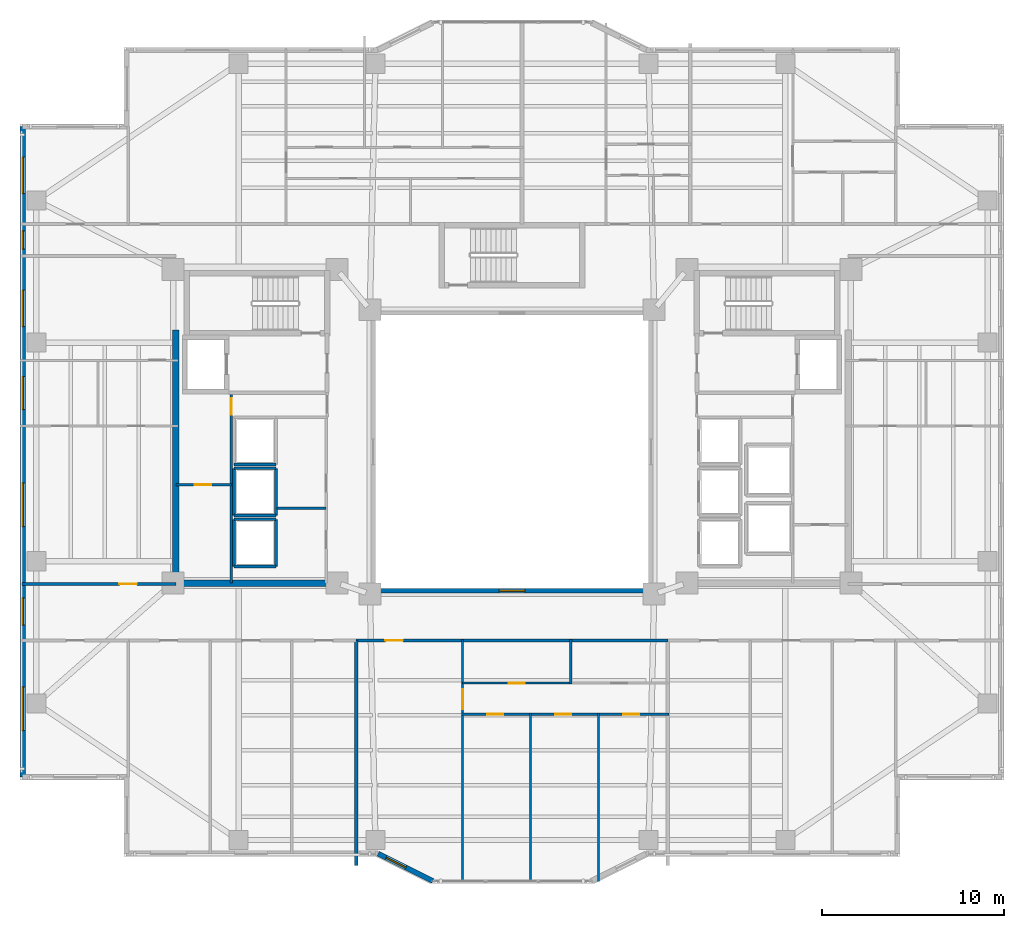
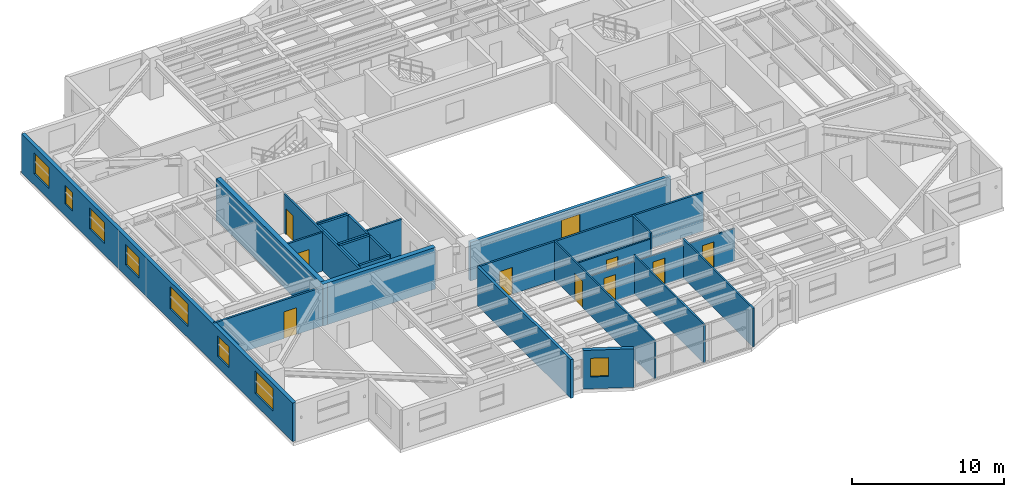
# One storey, part 6 of 18: 26 walls, 9 doors, 9 windows, 18 openings.
"""IFC4 building model written with IfcOpenShell, lengths in metres."""

from ifc_helpers import new_model, si_unit, direction, frame, frame_2d, origin, place, context, subcontext, project, spatial, rectangle, extrude, material, layer, layer_set, type_object, element, fill, save


model = new_model("IFC4")

# Units and contexts
model_context = context("Model", 3, precision=1e-05, world=origin(), true_north=direction((0.0, 1.0)))
body_context = subcontext(model_context, "Body", "Model", "MODEL_VIEW")
ifc_project = project(units=[si_unit("LENGTHUNIT", "METRE"), si_unit("AREAUNIT", "SQUARE_METRE"), si_unit("VOLUMEUNIT", "CUBIC_METRE"), si_unit("PLANEANGLEUNIT", "RADIAN"), si_unit("MASSUNIT", "GRAM", prefix="KILO")], contexts=[model_context])

# Site, building, storey
site_placement = place(None, origin())
site = spatial("IfcSite", under=ifc_project, at=site_placement, CompositionType="ELEMENT")
building_placement = place(site_placement, origin())
building = spatial("IfcBuilding", under=site, at=building_placement, Name="Tarnavaz Court Tower", CompositionType="ELEMENT")
storey_placement = place(building_placement, frame((0.0, 0.0, 95.050048828125)))
storey = spatial("IfcBuildingStorey", under=building, at=storey_placement, Name="L25", CompositionType="ELEMENT", Elevation=95.050048828125)

# Walls
ifc_material_1 = material(Name="Concrete C60/75", Category="concrete")
ifc_layer_1 = layer(ifc_material_1, 0.35009765625)
ifc_layer_set_1 = layer_set([ifc_layer_1], Name="Concrete C60/75")
wall_type_1 = type_object("IfcWallType", Name="WL-CORE-350-C60", PredefinedType="SHEAR", material=ifc_layer_set_1)
wall_1_placement = place(storey_placement, frame((-18.449951171875, -7.375, 0.0), z_axis=(0.0, 0.0, 1.0), x_axis=(0.0, 1.0, 0.0)))
element("IfcWall", 1, at=wall_1_placement, inside=storey, type_object=wall_type_1, Name="L25 West Core Shear Wall 057", PredefinedType="SHEAR", context=body_context, shape_type="SweptSolid", body=[
    extrude(rectangle(XDim=14.050048828125, YDim=0.35009765625, at=frame_2d((7.02490234375, 0.0))), origin(), (0.0, 0.0, 1.0), 3.349853515625),
])
wall_2_placement = place(storey_placement, frame((-18.625, -7.199951171875, 0.0), z_axis=(0.0, 0.0, 1.0), x_axis=(1.0, 0.0, 0.0)))
element("IfcWall", 2, at=wall_2_placement, inside=storey, type_object=wall_type_1, Name="L25 West Core South Shear Wall 058", PredefinedType="SHEAR", context=body_context, shape_type="SweptSolid", body=[
    extrude(rectangle(XDim=8.550048828125, YDim=0.35009765625, at=frame_2d((4.27490234375, 0.0))), origin(), (0.0, 0.0, 1.0), 3.349853515625),
])

# Wall, openings, windows
ifc_material_2 = material(Name="Precast Concrete C40/50", Category="concrete")
ifc_layer_2 = layer(ifc_material_2, 0.280029296875)
ifc_layer_set_2 = layer_set([ifc_layer_2], Name="Precast Concrete C40/50")
wall_type_2 = type_object("IfcWallType", Name="WL-EXT-280", PredefinedType="SOLIDWALL", material=ifc_layer_set_2)
wall_3_placement = place(storey_placement, frame((-26.85009765625, -17.85009765625, 0.0), z_axis=(0.0, 0.0, 1.0), x_axis=(0.0, 1.0, 0.0)))
wall_3 = element("IfcWall", 3, at=wall_3_placement, inside=storey, type_object=wall_type_2, Name="L25 Exterior Terracotta Facade Wall 02", PredefinedType="SOLIDWALL", context=body_context, shape_type="SweptSolid", body=[
    extrude(rectangle(XDim=35.7001953125, YDim=0.280029296875, at=frame_2d((17.85009765625, 0.0))), origin(), (0.0, 0.0, 1.0), 3.099853515625),
])
opening_1_placement = place(wall_3_placement, frame((2.550048828125, 0.0, 0.89990234375)))
opening_1 = element("IfcOpeningElement", 4, at=opening_1_placement, cuts=wall_3, Name="Opening W06", PredefinedType="OPENING", context=body_context, shape_type="SweptSolid", body=[
    extrude(rectangle(XDim=2.39990234375, YDim=1.800048828125, at=frame_2d((1.199951171875, 0.89990234375))), frame((0.0, 0.14990234375, 0.0), z_axis=(0.0, -1.0, 0.0), x_axis=(1.0, 0.0, 0.0)), (0.0, 0.0, 1.0), 0.300048828125),
])
opening_2_placement = place(wall_3_placement, frame((8.342529296875, 0.0, 0.89990234375)))
opening_2 = element("IfcOpeningElement", 5, at=opening_2_placement, cuts=wall_3, Name="Opening W03", PredefinedType="OPENING", context=body_context, shape_type="SweptSolid", body=[
    extrude(rectangle(XDim=1.5, YDim=1.64990234375, at=frame_2d((0.75, 0.824951171875))), frame((0.0, 0.14990234375, 0.0), z_axis=(0.0, -1.0, 0.0), x_axis=(1.0, 0.0, 0.0)), (0.0, 0.0, 1.0), 0.300048828125),
])
opening_3_placement = place(wall_3_placement, frame((13.75, 0.0, 0.89990234375)))
opening_3 = element("IfcOpeningElement", 6, at=opening_3_placement, cuts=wall_3, Name="Opening W06", PredefinedType="OPENING", context=body_context, shape_type="SweptSolid", body=[
    extrude(rectangle(XDim=2.39990234375, YDim=1.800048828125, at=frame_2d((1.199951171875, 0.89990234375))), frame((0.0, 0.14990234375, 0.0), z_axis=(0.0, -1.0, 0.0), x_axis=(1.0, 0.0, 0.0)), (0.0, 0.0, 1.0), 0.300048828125),
])
opening_4_placement = place(wall_3_placement, frame((20.175048828125, 0.0, 0.89990234375)))
opening_4 = element("IfcOpeningElement", 7, at=opening_4_placement, cuts=wall_3, Name="Opening W01", PredefinedType="OPENING", context=body_context, shape_type="SweptSolid", body=[
    extrude(rectangle(XDim=1.800048828125, YDim=1.64990234375, at=frame_2d((0.89990234375, 0.824951171875))), frame((0.0, 0.14990234375, 0.0), z_axis=(0.0, -1.0, 0.0), x_axis=(1.0, 0.0, 0.0)), (0.0, 0.0, 1.0), 0.300048828125),
])
opening_5_placement = place(wall_3_placement, frame((24.72509765625, 0.0, 0.89990234375)))
opening_5 = element("IfcOpeningElement", 8, at=opening_5_placement, cuts=wall_3, Name="Opening W08", PredefinedType="OPENING", context=body_context, shape_type="SweptSolid", body=[
    extrude(rectangle(XDim=2.0, YDim=1.699951171875, at=frame_2d((1.0, 0.85009765625))), frame((0.0, 0.14990234375, 0.0), z_axis=(0.0, -1.0, 0.0), x_axis=(1.0, 0.0, 0.0)), (0.0, 0.0, 1.0), 0.300048828125),
])
opening_6_placement = place(wall_3_placement, frame((28.97509765625, 0.0, 0.949951171875)))
opening_6 = element("IfcOpeningElement", 9, at=opening_6_placement, cuts=wall_3, Name="Opening W14", PredefinedType="OPENING", context=body_context, shape_type="SweptSolid", body=[
    extrude(rectangle(XDim=1.0, YDim=1.5, at=frame_2d((0.5, 0.75))), frame((0.0, 0.14990234375, 0.0), z_axis=(0.0, -1.0, 0.0), x_axis=(1.0, 0.0, 0.0)), (0.0, 0.0, 1.0), 0.300048828125),
])
opening_7_placement = place(wall_3_placement, frame((32.02490234375, 0.0, 0.89990234375)))
opening_7 = element("IfcOpeningElement", 10, at=opening_7_placement, cuts=wall_3, Name="Opening W08", PredefinedType="OPENING", context=body_context, shape_type="SweptSolid", body=[
    extrude(rectangle(XDim=2.0, YDim=1.699951171875, at=frame_2d((1.0, 0.85009765625))), frame((0.0, 0.14990234375, 0.0), z_axis=(0.0, -1.0, 0.0), x_axis=(1.0, 0.0, 0.0)), (0.0, 0.0, 1.0), 0.300048828125),
])
ifc_material_3 = material(Name="Double-Glazed Solar Low-E Glass", Category="glass")
window_type_1 = type_object("IfcWindowType", Name="WN-APT-1000", PartitioningType="SINGLE_PANEL", PredefinedType="WINDOW", material=ifc_material_3)
window_1_placement = place(opening_6_placement, origin())
window_1 = element("IfcWindow", 11, at=window_1_placement, inside=storey, type_object=window_type_1, Name="L25 North-West Corner Corridor Window", OverallHeight=1.5, OverallWidth=1.0, PartitioningType="SINGLE_PANEL", PredefinedType="WINDOW", context=body_context, shape_type="SweptSolid", body=[
    extrude(rectangle(XDim=1.0, YDim=1.5, at=frame_2d((0.5, 0.75))), frame((0.0, 0.030029296875, 0.0), z_axis=(0.0, -1.0, 0.0), x_axis=(1.0, 0.0, 0.0)), (0.0, 0.0, 1.0), 0.06005859375),
])
fill(opening_6, window_1)
window_type_2 = type_object("IfcWindowType", Name="WN-APT-1500", PartitioningType="DOUBLE_PANEL_VERTICAL", PredefinedType="WINDOW", material=ifc_material_3)
window_2_placement = place(opening_2_placement, origin())
window_2 = element("IfcWindow", 12, at=window_2_placement, inside=storey, type_object=window_type_2, Name="L25 South-West Corner Corridor Window", OverallHeight=1.64990234375, OverallWidth=1.5, PartitioningType="SINGLE_PANEL", PredefinedType="WINDOW", context=body_context, shape_type="SweptSolid", body=[
    extrude(rectangle(XDim=1.5, YDim=1.64990234375, at=frame_2d((0.75, 0.824951171875))), frame((0.0, 0.030029296875, 0.0), z_axis=(0.0, -1.0, 0.0), x_axis=(1.0, 0.0, 0.0)), (0.0, 0.0, 1.0), 0.06005859375),
])
fill(opening_2, window_2)
window_type_3 = type_object("IfcWindowType", Name="WN-APT-1800", PartitioningType="DOUBLE_PANEL_VERTICAL", PredefinedType="WINDOW", material=ifc_material_3)
window_3_placement = place(opening_4_placement, origin())
window_3 = element("IfcWindow", 13, at=window_3_placement, inside=storey, type_object=window_type_3, Name="L25 Flat 05 Kitchen Window", OverallHeight=1.64990234375, OverallWidth=1.800048828125, PartitioningType="SINGLE_PANEL", PredefinedType="WINDOW", context=body_context, shape_type="SweptSolid", body=[
    extrude(rectangle(XDim=1.800048828125, YDim=1.64990234375, at=frame_2d((0.89990234375, 0.824951171875))), frame((0.0, 0.030029296875, 0.0), z_axis=(0.0, -1.0, 0.0), x_axis=(1.0, 0.0, 0.0)), (0.0, 0.0, 1.0), 0.06005859375),
])
fill(opening_4, window_3)
window_type_4 = type_object("IfcWindowType", Name="WN-APT-2000", PartitioningType="DOUBLE_PANEL_VERTICAL", PredefinedType="WINDOW", material=ifc_material_3)
window_4_placement = place(opening_5_placement, origin())
window_4 = element("IfcWindow", 14, at=window_4_placement, inside=storey, type_object=window_type_4, Name="L25 Flat 05 Study Room Window", OverallHeight=1.699951171875, OverallWidth=2.0, PartitioningType="SINGLE_PANEL", PredefinedType="WINDOW", context=body_context, shape_type="SweptSolid", body=[
    extrude(rectangle(XDim=2.0, YDim=1.699951171875, at=frame_2d((1.0, 0.85009765625))), frame((0.0, 0.030029296875, 0.0), z_axis=(0.0, -1.0, 0.0), x_axis=(1.0, 0.0, 0.0)), (0.0, 0.0, 1.0), 0.06005859375),
])
fill(opening_5, window_4)
window_5_placement = place(opening_7_placement, origin())
window_5 = element("IfcWindow", 15, at=window_5_placement, inside=storey, type_object=window_type_4, Name="L25 North-West Corner Sunroom Study Window", OverallHeight=1.699951171875, OverallWidth=2.0, PartitioningType="SINGLE_PANEL", PredefinedType="WINDOW", context=body_context, shape_type="SweptSolid", body=[
    extrude(rectangle(XDim=2.0, YDim=1.699951171875, at=frame_2d((1.0, 0.85009765625))), frame((0.0, 0.030029296875, 0.0), z_axis=(0.0, -1.0, 0.0), x_axis=(1.0, 0.0, 0.0)), (0.0, 0.0, 1.0), 0.06005859375),
])
fill(opening_7, window_5)
window_type_5 = type_object("IfcWindowType", Name="WN-APT-2400", PartitioningType="TRIPLE_PANEL_VERTICAL", PredefinedType="WINDOW", material=ifc_material_3)
window_6_placement = place(opening_1_placement, origin())
window_6 = element("IfcWindow", 16, at=window_6_placement, inside=storey, type_object=window_type_5, Name="L25 South-West Corner Reading Room Window", OverallHeight=1.800048828125, OverallWidth=2.39990234375, PartitioningType="SINGLE_PANEL", PredefinedType="WINDOW", context=body_context, shape_type="SweptSolid", body=[
    extrude(rectangle(XDim=2.39990234375, YDim=1.800048828125, at=frame_2d((1.199951171875, 0.89990234375))), frame((0.0, 0.030029296875, 0.0), z_axis=(0.0, -1.0, 0.0), x_axis=(1.0, 0.0, 0.0)), (0.0, 0.0, 1.0), 0.06005859375),
])
fill(opening_1, window_6)
window_7_placement = place(opening_3_placement, origin())
window_7 = element("IfcWindow", 17, at=window_7_placement, inside=storey, type_object=window_type_5, Name="L25 Flat 05 Studio Living and Sleeping Room Window", OverallHeight=1.800048828125, OverallWidth=2.39990234375, PartitioningType="SINGLE_PANEL", PredefinedType="WINDOW", context=body_context, shape_type="SweptSolid", body=[
    extrude(rectangle(XDim=2.39990234375, YDim=1.800048828125, at=frame_2d((1.199951171875, 0.89990234375))), frame((0.0, 0.030029296875, 0.0), z_axis=(0.0, -1.0, 0.0), x_axis=(1.0, 0.0, 0.0)), (0.0, 0.0, 1.0), 0.06005859375),
])
fill(opening_3, window_7)

# Wall, opening, window
wall_4_placement = place(storey_placement, frame((-4.35009765625, -23.550048828125, 0.0), z_axis=(0.0, 0.0, 1.0), x_axis=(-0.894427191, 0.4472135955, 0.0)))
wall_4 = element("IfcWall", 18, at=wall_4_placement, inside=storey, type_object=wall_type_2, Name="L25 Exterior Terracotta Facade Wall 18", PredefinedType="SOLIDWALL", context=body_context, shape_type="SweptSolid", body=[
    extrude(rectangle(XDim=3.35400390625, YDim=0.280029296875, at=frame_2d((1.677001953125, 0.0))), origin(), (0.0, 0.0, 1.0), 3.099853515625),
])
opening_8_placement = place(wall_4_placement, frame((1.65283203125, 0.0, 0.949951171875)))
opening_8 = element("IfcOpeningElement", 19, at=opening_8_placement, cuts=wall_4, Name="Opening W05", PredefinedType="OPENING", context=body_context, shape_type="SweptSolid", body=[
    extrude(rectangle(XDim=1.199951171875, YDim=1.5, at=frame_2d((0.60009765625, 0.75))), frame((0.0, 0.14990234375, 0.0), z_axis=(0.0, -1.0, 0.0), x_axis=(1.0, 0.0, 0.0)), (0.0, 0.0, 1.0), 0.300048828125),
])
window_type_6 = type_object("IfcWindowType", Name="WN-APT-1200", PartitioningType="SINGLE_PANEL", PredefinedType="WINDOW", material=ifc_material_3)
window_8_placement = place(opening_8_placement, origin())
window_8 = element("IfcWindow", 20, at=window_8_placement, inside=storey, type_object=window_type_6, Name="L25 Flat 04 Living and Dining Room Window", OverallHeight=1.5, OverallWidth=1.199951171875, PartitioningType="SINGLE_PANEL", PredefinedType="WINDOW", context=body_context, shape_type="SweptSolid", body=[
    extrude(rectangle(XDim=1.199951171875, YDim=1.5, at=frame_2d((0.60009765625, 0.75))), frame((0.0, 0.030029296875, 0.0), z_axis=(0.0, -1.0, 0.0), x_axis=(1.0, 0.0, 0.0)), (0.0, 0.0, 1.0), 0.06005859375),
])
fill(opening_8, window_8)

# Wall, opening, door
ifc_material_4 = material(Name="Gypsum Fire-Board on Acoustic Metal Stud", Category="masonry")
ifc_layer_3 = layer(ifc_material_4, 0.14990234375)
ifc_layer_set_3 = layer_set([ifc_layer_3], Name="Gypsum Fire-Board on Acoustic Metal Stud")
wall_type_3 = type_object("IfcWallType", Name="WL-FIRE-150", PredefinedType="PARTITIONING", material=ifc_layer_set_3)
wall_5_placement = place(storey_placement, frame((-8.550048828125, -10.35009765625, 0.0), z_axis=(0.0, 0.0, 1.0), x_axis=(1.0, 0.0, 0.0)))
wall_5 = element("IfcWall", 21, at=wall_5_placement, inside=storey, type_object=wall_type_3, Name="L25 Interior Partition 100", PredefinedType="PARTITIONING", context=body_context, shape_type="SweptSolid", body=[
    extrude(rectangle(XDim=17.10009765625, YDim=0.14990234375, at=frame_2d((8.550048828125, 0.0))), origin(), (0.0, 0.0, 1.0), 3.099853515625),
])
opening_9_placement = place(wall_5_placement, frame((1.60009765625, 0.0, 0.0)))
opening_9 = element("IfcOpeningElement", 22, at=opening_9_placement, cuts=wall_5, Name="Opening D06", PredefinedType="OPENING", context=body_context, shape_type="SweptSolid", body=[
    extrude(rectangle(XDim=0.9599609375, YDim=2.14990234375, at=frame_2d((0.47998046875, 1.074951171875))), frame((0.0, 0.0849609375, 0.0), z_axis=(0.0, -1.0, 0.0), x_axis=(1.0, 0.0, 0.0)), (0.0, 0.0, 1.0), 0.169921875),
])
ifc_material_5 = material(Name="Fire-Rated Hardwood Timber Core", Category="wood")
door_type_1 = type_object("IfcDoorType", Name="DR-FD60-950", OperationType="NOTDEFINED", PredefinedType="DOOR", material=ifc_material_5)
door_1_placement = place(opening_9_placement, origin())
door_1 = element("IfcDoor", 23, at=door_1_placement, inside=storey, type_object=door_type_1, Name="L25 Flat 04 Entrance Door", OperationType="SINGLE_SWING_RIGHT", OverallHeight=2.14990234375, OverallWidth=0.9599609375, PredefinedType="DOOR", context=body_context, shape_type="SweptSolid", body=[
    extrude(rectangle(XDim=0.9599609375, YDim=2.14990234375, at=frame_2d((0.47998046875, 1.074951171875))), frame((0.0, 0.02490234375, 0.0), z_axis=(0.0, -1.0, 0.0), x_axis=(1.0, 0.0, 0.0)), (0.0, 0.0, 1.0), 0.050048828125),
])
fill(opening_9, door_1)

wall_6_placement = place(storey_placement, frame((-26.8798828125, -7.25, 0.0), z_axis=(0.0, 0.0, 1.0), x_axis=(1.0, 0.0, 0.0)))
wall_6 = element("IfcWall", 24, at=wall_6_placement, inside=storey, type_object=wall_type_3, Name="L25 Interior Partition 108", PredefinedType="PARTITIONING", context=body_context, shape_type="SweptSolid", body=[
    extrude(rectangle(XDim=8.429931640625, YDim=0.14990234375, at=frame_2d((4.21484375, 0.0))), origin(), (0.0, 0.0, 1.0), 3.099853515625),
])
opening_10_placement = place(wall_6_placement, frame((5.330078125, 0.0, 0.0)))
opening_10 = element("IfcOpeningElement", 25, at=opening_10_placement, cuts=wall_6, Name="Opening D06", PredefinedType="OPENING", context=body_context, shape_type="SweptSolid", body=[
    extrude(rectangle(XDim=0.9599609375, YDim=2.14990234375, at=frame_2d((0.47998046875, 1.074951171875))), frame((0.0, 0.0849609375, 0.0), z_axis=(0.0, -1.0, 0.0), x_axis=(1.0, 0.0, 0.0)), (0.0, 0.0, 1.0), 0.169921875),
])
door_2_placement = place(opening_10_placement, origin())
door_2 = element("IfcDoor", 26, at=door_2_placement, inside=storey, type_object=door_type_1, Name="L25 Flat 05 Entrance Door", OperationType="SINGLE_SWING_LEFT", OverallHeight=2.14990234375, OverallWidth=0.9599609375, PredefinedType="DOOR", context=body_context, shape_type="SweptSolid", body=[
    extrude(rectangle(XDim=0.9599609375, YDim=2.14990234375, at=frame_2d((0.47998046875, 1.074951171875))), frame((0.0, 0.02490234375, 0.0), z_axis=(0.0, -1.0, 0.0), x_axis=(1.0, 0.0, 0.0)), (0.0, 0.0, 1.0), 0.050048828125),
])
fill(opening_10, door_2)

# Wall
ifc_material_6 = material(Name="Autoclaved Aerated Concrete Blockwork", Category="masonry")
ifc_layer_4 = layer(ifc_material_6, 0.199951171875)
ifc_layer_set_4 = layer_set([ifc_layer_4], Name="Autoclaved Aerated Concrete Blockwork")
wall_type_4 = type_object("IfcWallType", Name="WL-FIRE-200", PredefinedType="SOLIDWALL", material=ifc_layer_set_4)
wall_7_placement = place(storey_placement, frame((-8.550048828125, -22.7041015625, 0.0), z_axis=(0.0, 0.0, 1.0), x_axis=(0.0, 1.0, 0.0)))
element("IfcWall", 27, at=wall_7_placement, inside=storey, type_object=wall_type_4, Name="L25 Party Wall 098", PredefinedType="SOLIDWALL", context=body_context, shape_type="SweptSolid", body=[
    extrude(rectangle(XDim=12.35400390625, YDim=0.199951171875, at=frame_2d((6.177001953125, 0.0))), origin(), (0.0, 0.0, 1.0), 3.099853515625),
])

# Wall, opening, door
ifc_material_7 = material(Name="Moisture-Resistant Gypsum Board Partition", Category="masonry")
ifc_layer_5 = layer(ifc_material_7, 0.1201171875)
ifc_layer_set_5 = layer_set([ifc_layer_5], Name="Moisture-Resistant Gypsum Board Partition")
wall_type_5 = type_object("IfcWallType", Name="WL-PART-120", PredefinedType="PARTITIONING", material=ifc_layer_set_5)
wall_8_placement = place(storey_placement, frame((-2.714111328125, -23.580078125, 0.0), z_axis=(0.0, 0.0, 1.0), x_axis=(0.0, 1.0, 0.0)))
wall_8 = element("IfcWall", 28, at=wall_8_placement, inside=storey, type_object=wall_type_5, Name="L25 Interior Partition 101", PredefinedType="PARTITIONING", context=body_context, shape_type="SweptSolid", body=[
    extrude(rectangle(XDim=13.2900390625, YDim=0.1201171875, at=frame_2d((6.64501953125, 0.0))), origin(), (0.0, 0.0, 1.0), 3.099853515625),
])
opening_11_placement = place(wall_8_placement, frame((9.465087890625, 0.0, 0.0)))
opening_11 = element("IfcOpeningElement", 29, at=opening_11_placement, cuts=wall_8, Name="Opening D12", PredefinedType="OPENING", context=body_context, shape_type="SweptSolid", body=[
    extrude(rectangle(XDim=1.080078125, YDim=2.14990234375, at=frame_2d((0.5400390625, 1.074951171875))), frame((0.0, 0.070068359375, 0.0), z_axis=(0.0, -1.0, 0.0), x_axis=(1.0, 0.0, 0.0)), (0.0, 0.0, 1.0), 0.14013671875),
])
ifc_material_8 = material(Name="Engineered Oak Timber", Category="wood")
door_type_2 = type_object("IfcDoorType", Name="DR-INT-1100", OperationType="NOTDEFINED", PredefinedType="DOOR", material=ifc_material_8)
door_3_placement = place(opening_11_placement, origin())
door_3 = element("IfcDoor", 30, at=door_3_placement, inside=storey, type_object=door_type_2, Name="L25 Flat 04 Foyer Door", OperationType="SINGLE_SWING_LEFT", OverallHeight=2.14990234375, OverallWidth=1.080078125, PredefinedType="DOOR", context=body_context, shape_type="SweptSolid", body=[
    extrude(rectangle(XDim=1.080078125, YDim=2.14990234375, at=frame_2d((0.5400390625, 1.074951171875))), frame((0.0, 0.02490234375, 0.0), z_axis=(0.0, -1.0, 0.0), x_axis=(1.0, 0.0, 0.0)), (0.0, 0.0, 1.0), 0.050048828125),
])
fill(opening_11, door_3)

wall_9_placement = place(storey_placement, frame((-2.714111328125, -12.68994140625, 0.0), z_axis=(0.0, 0.0, 1.0), x_axis=(1.0, 0.0, 0.0)))
wall_9 = element("IfcWall", 31, at=wall_9_placement, inside=storey, type_object=wall_type_5, Name="L25 Interior Partition 102", PredefinedType="PARTITIONING", context=body_context, shape_type="SweptSolid", body=[
    extrude(rectangle(XDim=5.93310546875, YDim=0.1201171875, at=frame_2d((2.966552734375, 0.0))), origin(), (0.0, 0.0, 1.0), 2.635009765625),
])
opening_12_placement = place(wall_9_placement, frame((2.52587890625, 0.0, 0.0)))
opening_12 = element("IfcOpeningElement", 32, at=opening_12_placement, cuts=wall_9, Name="Opening D14", PredefinedType="OPENING", context=body_context, shape_type="SweptSolid", body=[
    extrude(rectangle(XDim=0.8798828125, YDim=2.10009765625, at=frame_2d((0.43994140625, 1.050048828125))), frame((0.0, 0.070068359375, 0.0), z_axis=(0.0, -1.0, 0.0), x_axis=(1.0, 0.0, 0.0)), (0.0, 0.0, 1.0), 0.14013671875),
])
door_type_3 = type_object("IfcDoorType", Name="DR-INT-900", OperationType="NOTDEFINED", PredefinedType="DOOR", material=ifc_material_8)
door_4_placement = place(opening_12_placement, origin())
door_4 = element("IfcDoor", 33, at=door_4_placement, inside=storey, type_object=door_type_3, Name="L25 Flat 04 Kitchen Door", OperationType="SINGLE_SWING_RIGHT", OverallHeight=2.10009765625, OverallWidth=0.8798828125, PredefinedType="DOOR", context=body_context, shape_type="SweptSolid", body=[
    extrude(rectangle(XDim=0.8798828125, YDim=2.10009765625, at=frame_2d((0.43994140625, 1.050048828125))), frame((0.0, 0.02490234375, 0.0), z_axis=(0.0, -1.0, 0.0), x_axis=(1.0, 0.0, 0.0)), (0.0, 0.0, 1.0), 0.050048828125),
])
fill(opening_12, door_4)

# Wall, openings, doors
wall_10_placement = place(storey_placement, frame((-2.77392578125, -14.39990234375, 0.0), z_axis=(0.0, 0.0, 1.0), x_axis=(1.0, 0.0, 0.0)))
wall_10 = element("IfcWall", 34, at=wall_10_placement, inside=storey, type_object=wall_type_5, Name="L25 Interior Partition 104", PredefinedType="PARTITIONING", context=body_context, shape_type="SweptSolid", body=[
    extrude(rectangle(XDim=11.384033203125, YDim=0.1201171875, at=frame_2d((5.69189453125, 0.0))), origin(), (0.0, 0.0, 1.0), 2.635009765625),
])
opening_13_placement = place(wall_10_placement, frame((1.426025390625, 0.0, 0.0)))
opening_13 = element("IfcOpeningElement", 35, at=opening_13_placement, cuts=wall_10, Name="Opening D14", PredefinedType="OPENING", context=body_context, shape_type="SweptSolid", body=[
    extrude(rectangle(XDim=0.8798828125, YDim=2.10009765625, at=frame_2d((0.43994140625, 1.050048828125))), frame((0.0, 0.070068359375, 0.0), z_axis=(0.0, -1.0, 0.0), x_axis=(1.0, 0.0, 0.0)), (0.0, 0.0, 1.0), 0.14013671875),
])
opening_14_placement = place(wall_10_placement, frame((5.156982421875, 0.0, 0.0)))
opening_14 = element("IfcOpeningElement", 36, at=opening_14_placement, cuts=wall_10, Name="Opening D14", PredefinedType="OPENING", context=body_context, shape_type="SweptSolid", body=[
    extrude(rectangle(XDim=0.8798828125, YDim=2.10009765625, at=frame_2d((0.43994140625, 1.050048828125))), frame((0.0, 0.070068359375, 0.0), z_axis=(0.0, -1.0, 0.0), x_axis=(1.0, 0.0, 0.0)), (0.0, 0.0, 1.0), 0.14013671875),
])
opening_15_placement = place(wall_10_placement, frame((8.887939453125, 0.0, 0.0)))
opening_15 = element("IfcOpeningElement", 37, at=opening_15_placement, cuts=wall_10, Name="Opening D14", PredefinedType="OPENING", context=body_context, shape_type="SweptSolid", body=[
    extrude(rectangle(XDim=0.8798828125, YDim=2.10009765625, at=frame_2d((0.43994140625, 1.050048828125))), frame((0.0, 0.070068359375, 0.0), z_axis=(0.0, -1.0, 0.0), x_axis=(1.0, 0.0, 0.0)), (0.0, 0.0, 1.0), 0.14013671875),
])
door_5_placement = place(opening_13_placement, origin())
door_5 = element("IfcDoor", 38, at=door_5_placement, inside=storey, type_object=door_type_3, Name="L25 Flat 04 Bedroom 1 Door", OperationType="SINGLE_SWING_RIGHT", OverallHeight=2.10009765625, OverallWidth=0.8798828125, PredefinedType="DOOR", context=body_context, shape_type="SweptSolid", body=[
    extrude(rectangle(XDim=0.8798828125, YDim=2.10009765625, at=frame_2d((0.43994140625, 1.050048828125))), frame((0.0, 0.02490234375, 0.0), z_axis=(0.0, -1.0, 0.0), x_axis=(1.0, 0.0, 0.0)), (0.0, 0.0, 1.0), 0.050048828125),
])
fill(opening_13, door_5)
door_6_placement = place(opening_14_placement, origin())
door_6 = element("IfcDoor", 39, at=door_6_placement, inside=storey, type_object=door_type_3, Name="L25 Flat 04 Bedroom 2 Door", OperationType="SINGLE_SWING_LEFT", OverallHeight=2.10009765625, OverallWidth=0.8798828125, PredefinedType="DOOR", context=body_context, shape_type="SweptSolid", body=[
    extrude(rectangle(XDim=0.8798828125, YDim=2.10009765625, at=frame_2d((0.43994140625, 1.050048828125))), frame((0.0, 0.02490234375, 0.0), z_axis=(0.0, -1.0, 0.0), x_axis=(1.0, 0.0, 0.0)), (0.0, 0.0, 1.0), 0.050048828125),
])
fill(opening_14, door_6)
door_7_placement = place(opening_15_placement, origin())
door_7 = element("IfcDoor", 40, at=door_7_placement, inside=storey, type_object=door_type_3, Name="L25 Flat 04 Bedroom 3 Door", OperationType="SINGLE_SWING_RIGHT", OverallHeight=2.10009765625, OverallWidth=0.8798828125, PredefinedType="DOOR", context=body_context, shape_type="SweptSolid", body=[
    extrude(rectangle(XDim=0.8798828125, YDim=2.10009765625, at=frame_2d((0.43994140625, 1.050048828125))), frame((0.0, 0.02490234375, 0.0), z_axis=(0.0, -1.0, 0.0), x_axis=(1.0, 0.0, 0.0)), (0.0, 0.0, 1.0), 0.050048828125),
])
fill(opening_15, door_7)

# Walls
wall_11_placement = place(storey_placement, frame((3.218994140625, -12.75, 0.0), z_axis=(0.0, 0.0, 1.0), x_axis=(0.0, 1.0, 0.0)))
element("IfcWall", 41, at=wall_11_placement, inside=storey, type_object=wall_type_5, Name="L25 Interior Partition 105", PredefinedType="PARTITIONING", context=body_context, shape_type="SweptSolid", body=[
    extrude(rectangle(XDim=2.4599609375, YDim=0.1201171875, at=frame_2d((1.22998046875, 0.0))), origin(), (0.0, 0.0, 1.0), 3.099853515625),
])
for number, where, z_axis, x_axis, name in (
    (42, (1.01708984375, -23.580078125, 0.0), (0.0, 0.0, 1.0), (0.0, 1.0, 0.0), "L25 Interior Partition 106"),
    (43, (4.7490234375, -23.580078125, 0.0), (0.0, 0.0, 1.0), (0.0, 1.0, 0.0), "L25 Interior Partition 107"),
):
    element("IfcWall", number, at=place(storey_placement, frame(where, z_axis=z_axis, x_axis=x_axis)), inside=storey, type_object=wall_type_5, Name=name, PredefinedType="PARTITIONING", context=body_context, shape_type="SweptSolid", body=[
        extrude(rectangle(XDim=9.239990234375, YDim=0.1201171875, at=frame_2d((4.6201171875, 0.0))), origin(), (0.0, 0.0, 1.0), 3.099853515625),
    ])

# Wall, opening, door
ifc_material_9 = material(Name="Gypsum Plasterboard Acoustic Partition", Category="masonry")
ifc_layer_6 = layer(ifc_material_9, 0.139892578125)
ifc_layer_set_6 = layer_set([ifc_layer_6], Name="Gypsum Plasterboard Acoustic Partition")
wall_type_6 = type_object("IfcWallType", Name="WL-PART-150", PredefinedType="PARTITIONING", material=ifc_layer_set_6)
wall_12_placement = place(storey_placement, frame((-15.39990234375, -7.199951171875, 0.0), z_axis=(0.0, 0.0, 1.0), x_axis=(0.0, 1.0, 0.0)))
wall_12 = element("IfcWall", 44, at=wall_12_placement, inside=storey, type_object=wall_type_6, Name="L25 Interior Partition 063", PredefinedType="PARTITIONING", context=body_context, shape_type="SweptSolid", body=[
    extrude(rectangle(XDim=10.449951171875, YDim=0.139892578125, at=frame_2d((5.22509765625, 0.0))), origin(), (0.0, 0.0, 1.0), 3.099853515625),
])
opening_16_placement = place(wall_12_placement, frame((9.25, 0.0, 0.0)))
opening_16 = element("IfcOpeningElement", 45, at=opening_16_placement, cuts=wall_12, Name="Opening D09", PredefinedType="OPENING", context=body_context, shape_type="SweptSolid", body=[
    extrude(rectangle(XDim=0.89990234375, YDim=2.080078125, at=frame_2d((0.449951171875, 1.0400390625))), frame((0.0, 0.079833984375, 0.0), z_axis=(0.0, -1.0, 0.0), x_axis=(1.0, 0.0, 0.0)), (0.0, 0.0, 1.0), 0.159912109375),
])
door_type_4 = type_object("IfcDoorType", Name="DR-FD30-900", OperationType="NOTDEFINED", PredefinedType="DOOR", material=ifc_material_5)
door_8_placement = place(opening_16_placement, origin())
door_8 = element("IfcDoor", 46, at=door_8_placement, inside=storey, type_object=door_type_4, Name="L25 West Telecom Room Door", OperationType="SINGLE_SWING_RIGHT", OverallHeight=2.080078125, OverallWidth=0.89990234375, PredefinedType="DOOR", context=body_context, shape_type="SweptSolid", body=[
    extrude(rectangle(XDim=0.89990234375, YDim=2.080078125, at=frame_2d((0.449951171875, 1.0400390625))), frame((0.0, 0.02490234375, 0.0), z_axis=(0.0, -1.0, 0.0), x_axis=(1.0, 0.0, 0.0)), (0.0, 0.0, 1.0), 0.050048828125),
])
fill(opening_16, door_8)

wall_13_placement = place(storey_placement, frame((-18.449951171875, -1.800048828125, 0.0), z_axis=(0.0, 0.0, 1.0), x_axis=(1.0, 0.0, 0.0)))
wall_13 = element("IfcWall", 47, at=wall_13_placement, inside=storey, type_object=wall_type_6, Name="L25 Interior Partition 064", PredefinedType="PARTITIONING", context=body_context, shape_type="SweptSolid", body=[
    extrude(rectangle(XDim=3.050048828125, YDim=0.139892578125, at=frame_2d((1.52490234375, 0.0))), origin(), (0.0, 0.0, 1.0), 3.099853515625),
])
opening_17_placement = place(wall_13_placement, frame((1.050048828125, 0.0, 0.0)))
opening_17 = element("IfcOpeningElement", 48, at=opening_17_placement, cuts=wall_13, Name="Opening D09", PredefinedType="OPENING", context=body_context, shape_type="SweptSolid", body=[
    extrude(rectangle(XDim=0.89990234375, YDim=2.080078125, at=frame_2d((0.449951171875, 1.0400390625))), frame((0.0, 0.079833984375, 0.0), z_axis=(0.0, -1.0, 0.0), x_axis=(1.0, 0.0, 0.0)), (0.0, 0.0, 1.0), 0.159912109375),
])
door_9_placement = place(opening_17_placement, origin())
door_9 = element("IfcDoor", 49, at=door_9_placement, inside=storey, type_object=door_type_4, Name="L25 West Electrical Room Door", OperationType="SINGLE_SWING_LEFT", OverallHeight=2.080078125, OverallWidth=0.89990234375, PredefinedType="DOOR", context=body_context, shape_type="SweptSolid", body=[
    extrude(rectangle(XDim=0.89990234375, YDim=2.080078125, at=frame_2d((0.449951171875, 1.0400390625))), frame((0.0, 0.02490234375, 0.0), z_axis=(0.0, -1.0, 0.0), x_axis=(1.0, 0.0, 0.0)), (0.0, 0.0, 1.0), 0.050048828125),
])
fill(opening_17, door_9)

# Walls
wall_14_placement = place(storey_placement, frame((-12.89990234375, -3.10009765625, 0.0), z_axis=(0.0, 0.0, 1.0), x_axis=(1.0, 0.0, 0.0)))
element("IfcWall", 50, at=wall_14_placement, inside=storey, type_object=wall_type_6, Name="L25 Interior Partition 066", PredefinedType="PARTITIONING", context=body_context, shape_type="SweptSolid", body=[
    extrude(rectangle(XDim=2.699951171875, YDim=0.139892578125, at=frame_2d((1.35009765625, 0.0))), origin(), (0.0, 0.0, 1.0), 3.099853515625),
])
ifc_layer_7 = layer(ifc_material_6, 0.159912109375)
ifc_layer_set_7 = layer_set([ifc_layer_7], Name="Autoclaved Aerated Concrete Blockwork")
wall_type_7 = type_object("IfcWallType", Name="WL-SHAFT-150", PredefinedType="SOLIDWALL", material=ifc_layer_set_7)
for number, where, z_axis, x_axis, name in (
    (51, (-15.25, -6.300048828125, 0.0), (0.0, 0.0, 1.0), (0.0, 1.0, 0.0), "L25 Lift PL-H1 Shaft Wall 021"),
    (52, (-12.949951171875, -6.300048828125, 0.0), (0.0, 0.0, 1.0), (0.0, 1.0, 0.0), "L25 Lift PL-H1 Shaft Wall 022"),
):
    element("IfcWall", number, at=place(storey_placement, frame(where, z_axis=z_axis, x_axis=x_axis)), inside=storey, type_object=wall_type_7, Name=name, PredefinedType="SOLIDWALL", context=body_context, shape_type="SweptSolid", body=[
        extrude(rectangle(XDim=2.60009765625, YDim=0.159912109375, at=frame_2d((1.300048828125, 0.0))), origin(), (0.0, 0.0, 1.0), 3.099853515625),
    ])
for number, where, z_axis, x_axis, name in (
    (53, (-15.25, -6.300048828125, 0.0), (0.0, 0.0, 1.0), (1.0, 0.0, 0.0), "L25 Lift PL-H1 Shaft Wall 023"),
    (54, (-15.25, -3.699951171875, 0.0), (0.0, 0.0, 1.0), (1.0, 0.0, 0.0), "L25 Lift PL-H1 Shaft Wall 024"),
):
    element("IfcWall", number, at=place(storey_placement, frame(where, z_axis=z_axis, x_axis=x_axis)), inside=storey, type_object=wall_type_7, Name=name, PredefinedType="SOLIDWALL", context=body_context, shape_type="SweptSolid", body=[
        extrude(rectangle(XDim=2.300048828125, YDim=0.159912109375, at=frame_2d((1.14990234375, 0.0))), origin(), (0.0, 0.0, 1.0), 3.099853515625),
    ])
for number, where, z_axis, x_axis, name in (
    (55, (-15.25, -3.5, 0.0), (0.0, 0.0, 1.0), (0.0, 1.0, 0.0), "L25 Lift PL-H2 Shaft Wall 025"),
    (56, (-12.949951171875, -3.5, 0.0), (0.0, 0.0, 1.0), (0.0, 1.0, 0.0), "L25 Lift PL-H2 Shaft Wall 026"),
):
    element("IfcWall", number, at=place(storey_placement, frame(where, z_axis=z_axis, x_axis=x_axis)), inside=storey, type_object=wall_type_7, Name=name, PredefinedType="SOLIDWALL", context=body_context, shape_type="SweptSolid", body=[
        extrude(rectangle(XDim=2.60009765625, YDim=0.159912109375, at=frame_2d((1.300048828125, 0.0))), origin(), (0.0, 0.0, 1.0), 3.099853515625),
    ])
for number, where, z_axis, x_axis, name in (
    (57, (-15.25, -3.5, 0.0), (0.0, 0.0, 1.0), (1.0, 0.0, 0.0), "L25 Lift PL-H2 Shaft Wall 027"),
    (58, (-15.25, -0.89990234375, 0.0), (0.0, 0.0, 1.0), (1.0, 0.0, 0.0), "L25 Lift PL-H2 Shaft Wall 028"),
    (59, (-15.25, -0.699951171875, 0.0), (0.0, 0.0, 1.0), (1.0, 0.0, 0.0), "L25 Lift PL-H3 Shaft Wall 031"),
):
    element("IfcWall", number, at=place(storey_placement, frame(where, z_axis=z_axis, x_axis=x_axis)), inside=storey, type_object=wall_type_7, Name=name, PredefinedType="SOLIDWALL", context=body_context, shape_type="SweptSolid", body=[
        extrude(rectangle(XDim=2.300048828125, YDim=0.159912109375, at=frame_2d((1.14990234375, 0.0))), origin(), (0.0, 0.0, 1.0), 3.099853515625),
    ])

# Wall, opening, window
ifc_layer_8 = layer(ifc_material_2, 0.239990234375)
ifc_layer_set_8 = layer_set([ifc_layer_8], Name="Precast Concrete C40/50")
wall_type_8 = type_object("IfcWallType", Name="WL-WELL-240", PredefinedType="SOLIDWALL", material=ifc_layer_set_8)
wall_15_placement = place(storey_placement, frame((-7.6201171875, -7.6201171875, 0.0), z_axis=(0.0, 0.0, 1.0), x_axis=(1.0, 0.0, 0.0)))
wall_15 = element("IfcWall", 60, at=wall_15_placement, inside=storey, type_object=wall_type_8, Name="L25 Badgir Light-Well Exterior Wall S", PredefinedType="SOLIDWALL", context=body_context, shape_type="SweptSolid", body=[
    extrude(rectangle(XDim=15.240234375, YDim=0.239990234375, at=frame_2d((7.6201171875, 0.0))), origin(), (0.0, 0.0, 1.0), 3.099853515625),
])
opening_18_placement = place(wall_15_placement, frame((6.919921875, 0.0, 0.949951171875)))
opening_18 = element("IfcOpeningElement", 61, at=opening_18_placement, cuts=wall_15, Name="Opening W13", PredefinedType="OPENING", context=body_context, shape_type="SweptSolid", body=[
    extrude(rectangle(XDim=1.39990234375, YDim=1.5, at=frame_2d((0.699951171875, 0.75))), frame((0.0, 0.1298828125, 0.0), z_axis=(0.0, -1.0, 0.0), x_axis=(1.0, 0.0, 0.0)), (0.0, 0.0, 1.0), 0.260009765625),
])
window_type_7 = type_object("IfcWindowType", Name="WN-WEL-1400", PartitioningType="SINGLE_PANEL", PredefinedType="WINDOW", material=ifc_material_3)
window_9_placement = place(opening_18_placement, origin())
window_9 = element("IfcWindow", 62, at=window_9_placement, inside=storey, type_object=window_type_7, Name="L25 Courtyard Gallery Window S", OverallHeight=1.5, OverallWidth=1.39990234375, PartitioningType="SINGLE_PANEL", PredefinedType="WINDOW", context=body_context, shape_type="SweptSolid", body=[
    extrude(rectangle(XDim=1.39990234375, YDim=1.5, at=frame_2d((0.699951171875, 0.75))), frame((0.0, 0.030029296875, 0.0), z_axis=(0.0, -1.0, 0.0), x_axis=(1.0, 0.0, 0.0)), (0.0, 0.0, 1.0), 0.06005859375),
])
fill(opening_18, window_9)

save(model, "model.ifc")
